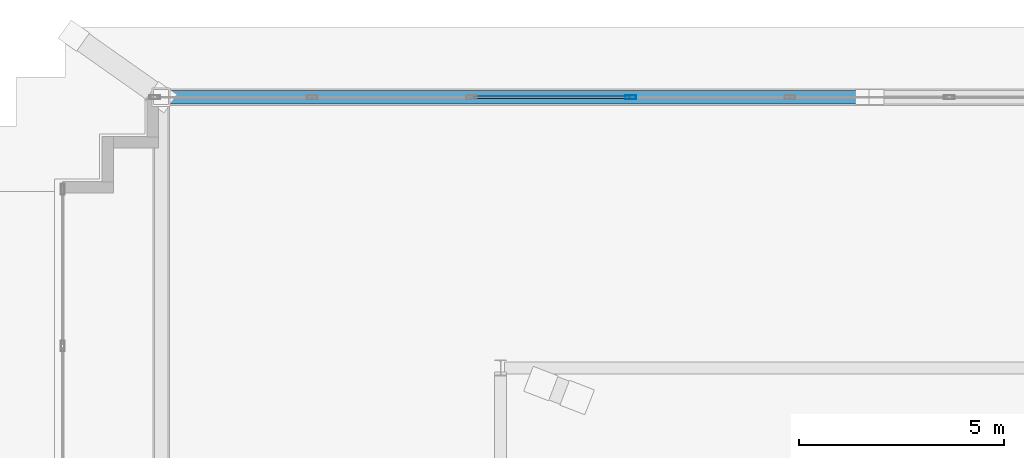
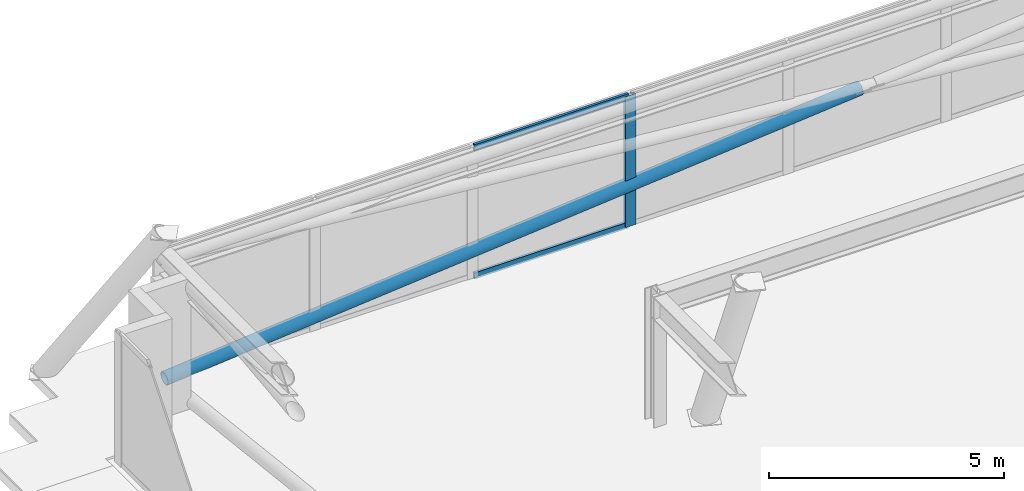
# One storey, part 10 of 22: 4 members, 1 element without a shape of its own.
"""IFC4 building model written with IfcOpenShell, lengths in metres."""

from ifc_helpers import new_model, si_unit, direction, frame, origin, origin_2d, place, context, subcontext, project, spatial, hollow_rectangle, hollow_circle, extrude, material, layer, layer_set, material_profile, profile_set, type_object, element, aggregate, save


model = new_model("IFC4")

# Units and contexts
model_context = context("Model", 3, precision=1e-05, world=origin(), true_north=direction((0.0, 1.0)))
body_context = subcontext(model_context, "Body", "Model", "MODEL_VIEW")
ifc_project = project(units=[si_unit("LENGTHUNIT", "METRE"), si_unit("AREAUNIT", "SQUARE_METRE"), si_unit("VOLUMEUNIT", "CUBIC_METRE"), si_unit("PLANEANGLEUNIT", "RADIAN"), si_unit("MASSUNIT", "GRAM", prefix="KILO")], contexts=[model_context])

# Site, building, storey
site_placement = place(None, origin())
site = spatial("IfcSite", under=ifc_project, at=site_placement, CompositionType="ELEMENT")
building_placement = place(site_placement, origin())
building = spatial("IfcBuilding", under=site, at=building_placement, Name="Qobustan Lattice House", CompositionType="ELEMENT")
storey_placement = place(building_placement, frame((0.0, 0.0, 274.0)))
storey = spatial("IfcBuildingStorey", under=building, at=storey_placement, Name="L77", CompositionType="ELEMENT", Elevation=274.0)

# Curtain wall, members
ifc_material_1 = material(Name="Anodised aluminium and low-E glazing", Category="aluminium")
ifc_layer = layer(ifc_material_1, 0.219970703125)
ifc_layer_set = layer_set([ifc_layer], Name="Anodised aluminium and low-E glazing")
curtain_wall_type = type_object("IfcCurtainWallType", Name="CW-CRN-01", PredefinedType="USERDEFINED", material=ifc_layer_set)
curtain_wall_placement = place(storey_placement, origin())
curtain_wall = element("IfcCurtainWall", 1, at=curtain_wall_placement, inside=storey, type_object=curtain_wall_type, Name="L77 glass-point crown faceted curtain wall 10", ObjectType="CURTAIN WALL", PredefinedType="USERDEFINED")
ifc_material_2 = material(Name="Anodised aluminium EN AW-6063 T6", Category="aluminium")
ifc_material_profile_1 = material_profile(ifc_material_2, hollow_rectangle(XDim=0.090087890625, YDim=0.260009765625, WallThickness=0.006103515625, at=origin_2d()), Name="CWM-CROWN-260x90")
ifc_profile_set_1 = profile_set([ifc_material_profile_1], Name="Anodised aluminium EN AW-6063 T6")
member_type_1 = type_object("IfcMemberType", Name="CWM-CRN-260", PredefinedType="MULLION", material=ifc_profile_set_1)
member_1_placement = place(storey_placement, frame((-6.0244140625, 12.201416015625, 0.0), z_axis=(0.0, 0.0, 1.0), x_axis=(0.0, 1.0, 0.0)))
member_1 = element("IfcMember", 2, at=member_1_placement, type_object=member_type_1, Name="CW-CR mullion 4", PredefinedType="MULLION", context=body_context, shape_type="SweptSolid", body=[
    extrude(hollow_rectangle(XDim=0.090087890625, YDim=0.260009765625, WallThickness=0.006103515625, at=origin_2d()), origin(), (0.0, 0.0, 1.0), 3.39990234375),
])
ifc_material_3 = material(Name="Anodised aluminium EN AW-6063 T6", Category="aluminium")
ifc_material_profile_2 = material_profile(ifc_material_3, hollow_rectangle(XDim=0.06494140625, YDim=0.159912109375, WallThickness=0.00390625, at=origin_2d()), Name="CWT-160x65")
ifc_profile_set_2 = profile_set([ifc_material_profile_2], Name="Anodised aluminium EN AW-6063 T6")
member_type_2 = type_object("IfcMemberType", Name="CWT-HOR-160", PredefinedType="USERDEFINED", material=ifc_profile_set_2)
member_2_placement = place(storey_placement, frame((-9.862548828125, 12.201416015625, 0.032470703125), z_axis=(1.0, 0.0, 0.0), x_axis=(0.0, 1.0, 0.0)))
member_2 = element("IfcMember", 3, at=member_2_placement, type_object=member_type_2, Name="CW-CR transom 3.1", ObjectType="TRANSOM", PredefinedType="USERDEFINED", context=body_context, shape_type="SweptSolid", body=[
    extrude(hollow_rectangle(XDim=0.06494140625, YDim=0.159912109375, WallThickness=0.00390625, at=origin_2d()), origin(), (0.0, 0.0, 1.0), 3.79296875),
])
member_3_placement = place(storey_placement, frame((-9.862548828125, 12.201416015625, 3.367431640625), z_axis=(1.0, 0.0, 0.0), x_axis=(0.0, 1.0, 0.0)))
member_3 = element("IfcMember", 4, at=member_3_placement, type_object=member_type_2, Name="CW-CR transom 3.2", ObjectType="TRANSOM", PredefinedType="USERDEFINED", context=body_context, shape_type="SweptSolid", body=[
    extrude(hollow_rectangle(XDim=0.06494140625, YDim=0.159912109375, WallThickness=0.00390625, at=origin_2d()), origin(), (0.0, 0.0, 1.0), 3.79296875),
])
aggregate(curtain_wall, [member_1, member_2, member_3])

# Member
ifc_material_4 = material(Name="Steel S355", Category="steel")
ifc_material_profile_3 = material_profile(ifc_material_4, hollow_circle(Radius=0.161865234375, WallThickness=0.012451171875, at=origin_2d()), Name="CHS323.9x12.5")
ifc_profile_set_3 = profile_set([ifc_material_profile_3], Name="Steel S355")
member_type_3 = type_object("IfcMemberType", Name="MEM-CBR-CHS324", PredefinedType="BRACE", material=ifc_profile_set_3)
member_4_placement = place(storey_placement, frame((-17.473388671875, 12.201416015625, 0.014892578125), z_axis=(0.995828532026, 0.0, 0.091244368613), x_axis=(0.0, 1.0, 0.0)))
element("IfcMember", 5, at=member_4_placement, inside=storey, type_object=member_type_3, Name="L77 crown diagrid split brace 3B lower", PredefinedType="BRACE", context=body_context, shape_type="SweptSolid", body=[
    extrude(hollow_circle(Radius=0.161865234375, WallThickness=0.012451171875, at=origin_2d()), origin(), (0.0, 0.0, 1.0), 17.177978515625),
])

save(model, "model.ifc")
